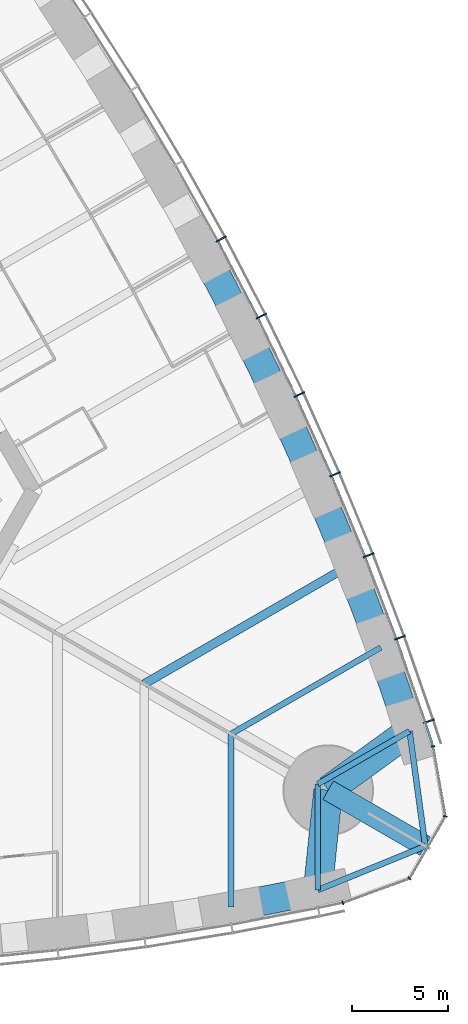
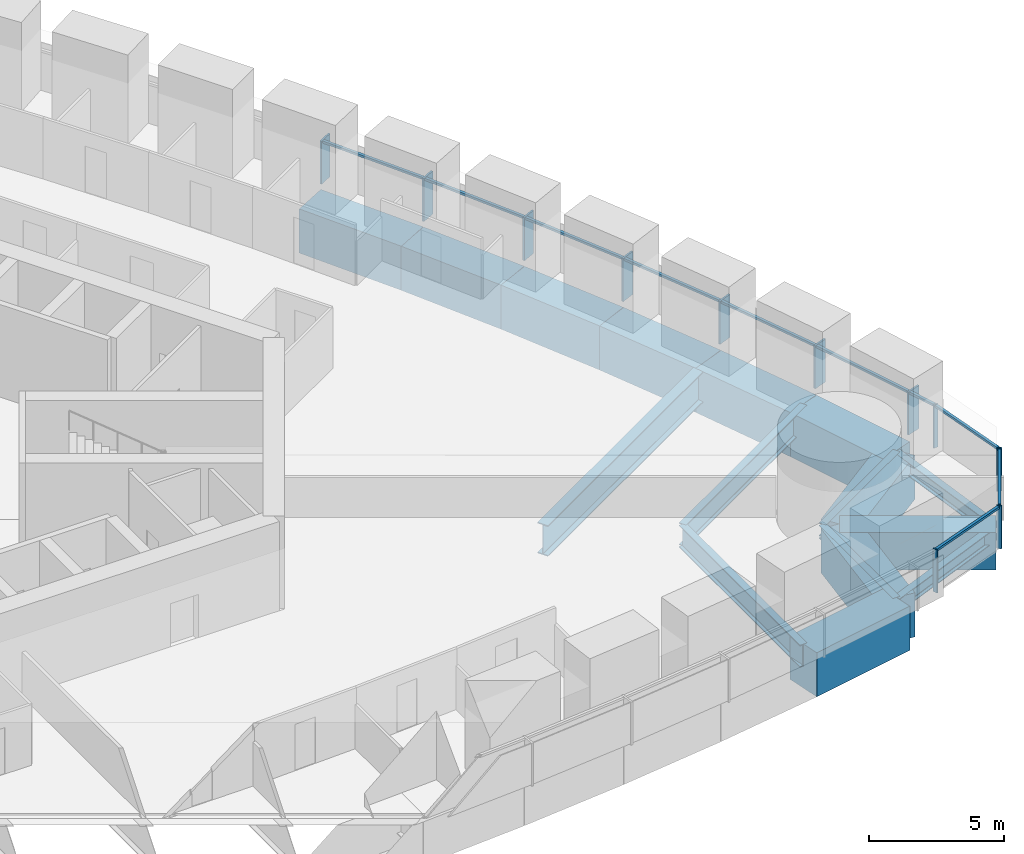
# One storey, part 6 of 18: 21 members, 17 beams, 2 elements without a shape of their own.
"""IFC4 building model written with IfcOpenShell, lengths in metres."""

from ifc_helpers import new_model, si_unit, direction, frame, origin, origin_2d, place, context, subcontext, project, spatial, rectangle, i_section, extrude, material, material_profile, profile_set, type_object, element, aggregate, save


model = new_model("IFC4")

# Units and contexts
model_context = context("Model", 3, precision=1e-05, world=origin(), true_north=direction((0.0, 1.0)))
body_context = subcontext(model_context, "Body", "Model", "MODEL_VIEW")
ifc_project = project(units=[si_unit("LENGTHUNIT", "METRE"), si_unit("AREAUNIT", "SQUARE_METRE"), si_unit("VOLUMEUNIT", "CUBIC_METRE"), si_unit("PLANEANGLEUNIT", "RADIAN"), si_unit("MASSUNIT", "GRAM", prefix="KILO")], contexts=[model_context])

# Site, building, storey
site_placement = place(None, origin())
site = spatial("IfcSite", under=ifc_project, at=site_placement, CompositionType="ELEMENT")
building_placement = place(site_placement, origin())
building = spatial("IfcBuilding", under=site, at=building_placement, Name="Trefoil Bronze Tower", CompositionType="ELEMENT")
storey_placement = place(building_placement, frame((0.0, 0.0, 87.89990234375)))
storey = spatial("IfcBuildingStorey", under=building, at=storey_placement, Name="L20", CompositionType="ELEMENT", Elevation=87.89990234375)

# Curtain wall, members
ifc_material_1 = material(Name="Tinted solar-control glass", Category="glass")
curtain_wall_type_1 = type_object("IfcCurtainWallType", Name="Bronze office curtain wall", PredefinedType="USERDEFINED", material=ifc_material_1)
curtain_wall_1_placement = place(storey_placement, origin())
curtain_wall_1 = element("IfcCurtainWall", 1, at=curtain_wall_1_placement, inside=storey, type_object=curtain_wall_type_1, Name="CW-A L20 F2", ObjectType="CURTAIN WALL", PredefinedType="USERDEFINED")
ifc_material_2 = material(Name="Bronze-finish aluminium", Category="aluminium")
ifc_material_profile_1 = material_profile(ifc_material_2, rectangle(XDim=0.60009765625, YDim=0.080078125, at=origin_2d()), Name="CW-A mullion")
ifc_profile_set_1 = profile_set([ifc_material_profile_1], Name="Bronze-finish aluminium")
member_type_1 = type_object("IfcMemberType", Name="Bronze office curtain wall mullion", PredefinedType="MULLION", material=ifc_profile_set_1)
member_1_placement = place(storey_placement, frame((37.265869140625, -14.92626953125, 0.0), z_axis=(0.0, 0.0, 1.0), x_axis=(-0.947850592929, -0.318715003543, 0.0)))
member_1 = element("IfcMember", 2, at=member_1_placement, type_object=member_type_1, Name="CW-A L20 F2 mullion 2", PredefinedType="MULLION", context=body_context, shape_type="SweptSolid", body=[
    extrude(rectangle(XDim=0.60009765625, YDim=0.080078125, at=origin_2d()), origin(), (0.0, 0.0, 1.0), 1.9501953125),
])
member_2_placement = place(storey_placement, frame((35.761962890625, -10.590087890625, 0.0), z_axis=(0.0, 0.0, 1.0), x_axis=(-0.939860248316, -0.341559238839, 0.0)))
member_2 = element("IfcMember", 3, at=member_2_placement, type_object=member_type_1, Name="CW-A L20 F2 mullion 3", PredefinedType="MULLION", context=body_context, shape_type="SweptSolid", body=[
    extrude(rectangle(XDim=0.60009765625, YDim=0.080078125, at=origin_2d()), origin(), (0.0, 0.0, 1.0), 1.9501953125),
])
member_3_placement = place(storey_placement, frame((34.138916015625, -6.32080078125, 0.0), z_axis=(0.0, 0.0, 1.0), x_axis=(-0.929413605838, -0.369039766534, 0.0)))
member_3 = element("IfcMember", 4, at=member_3_placement, type_object=member_type_1, Name="CW-A L20 F2 mullion 4", PredefinedType="MULLION", context=body_context, shape_type="SweptSolid", body=[
    extrude(rectangle(XDim=0.60009765625, YDim=0.080078125, at=origin_2d()), origin(), (0.0, 0.0, 1.0), 1.9501953125),
])
member_4_placement = place(storey_placement, frame((32.39892578125, -2.119384765625, 0.0), z_axis=(0.0, 0.0, 1.0), x_axis=(-0.918213748442, -0.396085233469, 0.0)))
member_4 = element("IfcMember", 5, at=member_4_placement, type_object=member_type_1, Name="CW-A L20 F2 mullion 5", PredefinedType="MULLION", context=body_context, shape_type="SweptSolid", body=[
    extrude(rectangle(XDim=0.60009765625, YDim=0.080078125, at=origin_2d()), origin(), (0.0, 0.0, 1.0), 1.9501953125),
])
member_5_placement = place(storey_placement, frame((30.543212890625, 2.015380859375, 0.0), z_axis=(0.0, 0.0, 1.0), x_axis=(-0.906269346572, -0.422700687798, 0.0)))
member_5 = element("IfcMember", 6, at=member_5_placement, type_object=member_type_1, Name="CW-A L20 F2 mullion 6", PredefinedType="MULLION", context=body_context, shape_type="SweptSolid", body=[
    extrude(rectangle(XDim=0.60009765625, YDim=0.080078125, at=origin_2d()), origin(), (0.0, 0.0, 1.0), 1.9501953125),
])
member_6_placement = place(storey_placement, frame((28.57275390625, 6.084228515625, 0.0), z_axis=(0.0, 0.0, 1.0), x_axis=(-0.893587025891, -0.448889994497, 0.0)))
member_6 = element("IfcMember", 7, at=member_6_placement, type_object=member_type_1, Name="CW-A L20 F2 mullion 7", PredefinedType="MULLION", context=body_context, shape_type="SweptSolid", body=[
    extrude(rectangle(XDim=0.60009765625, YDim=0.080078125, at=origin_2d()), origin(), (0.0, 0.0, 1.0), 1.9501953125),
])
member_7_placement = place(storey_placement, frame((26.488525390625, 10.0869140625, 0.0), z_axis=(0.0, 0.0, 1.0), x_axis=(-0.880171454588, -0.474655886437, 0.0)))
member_7 = element("IfcMember", 8, at=member_7_placement, type_object=member_type_1, Name="CW-A L20 F2 mullion 8", PredefinedType="MULLION", context=body_context, shape_type="SweptSolid", body=[
    extrude(rectangle(XDim=0.60009765625, YDim=0.080078125, at=origin_2d()), origin(), (0.0, 0.0, 1.0), 1.9501953125),
])
ifc_material_3 = material(Name="Bronze-finish aluminium", Category="aluminium")
ifc_material_profile_2 = material_profile(ifc_material_3, rectangle(XDim=0.1201171875, YDim=0.10009765625, at=origin_2d()), Name="CW-A transom")
ifc_profile_set_2 = profile_set([ifc_material_profile_2], Name="Bronze-finish aluminium")
member_type_2 = type_object("IfcMemberType", Name="Bronze office curtain wall transom", PredefinedType="USERDEFINED", material=ifc_profile_set_2)
member_8_placement = place(storey_placement, frame((37.4638671875, -16.1796875, 1.900146484375), z_axis=(-0.309624219148, 0.950859002648, 0.0), x_axis=(-0.950859002648, -0.309624219148, 0.0)))
member_8 = element("IfcMember", 9, at=member_8_placement, type_object=member_type_2, Name="CW-A L20 F2 transom 1", ObjectType="TRANSOM", PredefinedType="USERDEFINED", context=body_context, shape_type="SweptSolid", body=[
    extrude(rectangle(XDim=0.1201171875, YDim=0.10009765625, at=origin_2d()), origin(), (0.0, 0.0, 1.0), 1.21044921875),
])
member_9_placement = place(storey_placement, frame((37.06298828125, -14.951171875, 1.900146484375), z_axis=(-0.327689728493, 0.944785394595, 0.0), x_axis=(-0.944785394595, -0.327689728493, 0.0)))
member_9 = element("IfcMember", 10, at=member_9_placement, type_object=member_type_2, Name="CW-A L20 F2 transom 2", ObjectType="TRANSOM", PredefinedType="USERDEFINED", context=body_context, shape_type="SweptSolid", body=[
    extrude(rectangle(XDim=0.1201171875, YDim=0.10009765625, at=origin_2d()), origin(), (0.0, 0.0, 1.0), 4.502197265625),
])
member_10_placement = place(storey_placement, frame((35.559326171875, -10.61962890625, 1.900146484375), z_axis=(-0.355367327392, 0.934726731522, 0.0), x_axis=(-0.934726731522, -0.355367327392, 0.0)))
member_10 = element("IfcMember", 11, at=member_10_placement, type_object=member_type_2, Name="CW-A L20 F2 transom 3", ObjectType="TRANSOM", PredefinedType="USERDEFINED", context=body_context, shape_type="SweptSolid", body=[
    extrude(rectangle(XDim=0.1201171875, YDim=0.10009765625, at=origin_2d()), origin(), (0.0, 0.0, 1.0), 4.478515625),
])
member_11_placement = place(storey_placement, frame((33.937255859375, -6.3564453125, 1.900146484375), z_axis=(-0.382616149417, 0.923907399151, 0.0), x_axis=(-0.923907399151, -0.382616149417, 0.0)))
member_11 = element("IfcMember", 12, at=member_11_placement, type_object=member_type_2, Name="CW-A L20 F2 transom 4", ObjectType="TRANSOM", PredefinedType="USERDEFINED", context=body_context, shape_type="SweptSolid", body=[
    extrude(rectangle(XDim=0.1201171875, YDim=0.10009765625, at=origin_2d()), origin(), (0.0, 0.0, 1.0), 4.458984375),
])
member_12_placement = place(storey_placement, frame((32.1982421875, -2.16064453125, 1.900146484375), z_axis=(-0.409459746452, 0.912328184392, 0.0), x_axis=(-0.912328184392, -0.409459746452, 0.0)))
member_12 = element("IfcMember", 13, at=member_12_placement, type_object=member_type_2, Name="CW-A L20 F2 transom 5", ObjectType="TRANSOM", PredefinedType="USERDEFINED", context=body_context, shape_type="SweptSolid", body=[
    extrude(rectangle(XDim=0.1201171875, YDim=0.10009765625, at=origin_2d()), origin(), (0.0, 0.0, 1.0), 4.443359375),
])
member_13_placement = place(storey_placement, frame((30.34375, 1.96826171875, 1.900146484375), z_axis=(-0.435851763293, 0.900018466719, 0.0), x_axis=(-0.900018466719, -0.435851763293, 0.0)))
member_13 = element("IfcMember", 14, at=member_13_placement, type_object=member_type_2, Name="CW-A L20 F2 transom 6", ObjectType="TRANSOM", PredefinedType="USERDEFINED", context=body_context, shape_type="SweptSolid", body=[
    extrude(rectangle(XDim=0.1201171875, YDim=0.10009765625, at=origin_2d()), origin(), (0.0, 0.0, 1.0), 4.431884765625),
])
member_14_placement = place(storey_placement, frame((28.375, 6.031005859375, 1.900146484375), z_axis=(-0.461809621225, 0.886979071762, 0.0), x_axis=(-0.886979071762, -0.461809621225, 0.0)))
member_14 = element("IfcMember", 15, at=member_14_placement, type_object=member_type_2, Name="CW-A L20 F2 transom 7", ObjectType="TRANSOM", PredefinedType="USERDEFINED", context=body_context, shape_type="SweptSolid", body=[
    extrude(rectangle(XDim=0.1201171875, YDim=0.10009765625, at=origin_2d()), origin(), (0.0, 0.0, 1.0), 4.42431640625),
])
aggregate(curtain_wall_1, [member_1, member_2, member_3, member_4, member_5, member_6, member_7, member_8, member_9, member_10, member_11, member_12, member_13, member_14])

ifc_material_4 = material(Name="Tinted solar-control glass", Category="glass")
curtain_wall_type_2 = type_object("IfcCurtainWallType", Name="Bronze rounded corner curtain wall", PredefinedType="USERDEFINED", material=ifc_material_4)
curtain_wall_2_placement = place(storey_placement, origin())
curtain_wall_2 = element("IfcCurtainWall", 16, at=curtain_wall_2_placement, inside=storey, type_object=curtain_wall_type_2, Name="CW-B L20 K1", ObjectType="CURTAIN WALL", PredefinedType="USERDEFINED")
ifc_material_5 = material(Name="Bronze-finish aluminium", Category="aluminium")
ifc_material_profile_3 = material_profile(ifc_material_5, rectangle(XDim=0.199951171875, YDim=0.06005859375, at=origin_2d()), Name="CW-B mullion")
ifc_profile_set_3 = profile_set([ifc_material_profile_3], Name="Bronze-finish aluminium")
member_type_3 = type_object("IfcMemberType", Name="Bronze rounded corner curtain wall mullion", PredefinedType="MULLION", material=ifc_profile_set_3)
member_15_placement = place(storey_placement, frame((32.796630859375, -24.3427734375, 0.0), z_axis=(0.0, 0.0, 1.0), x_axis=(-0.342020143326, 0.939692620786, 0.0)))
member_15 = element("IfcMember", 17, at=member_15_placement, type_object=member_type_3, Name="CW-B L20 K1 mullion 1", PredefinedType="MULLION", context=body_context, shape_type="SweptSolid", body=[
    extrude(rectangle(XDim=0.199951171875, YDim=0.06005859375, at=origin_2d()), origin(), (0.0, 0.0, 1.0), 1.9501953125),
])
member_16_placement = place(storey_placement, frame((36.2548828125, -23.07763671875, 0.0), z_axis=(0.0, 0.0, 1.0), x_axis=(-0.642787609687, 0.766044443119, 0.0)))
member_16 = element("IfcMember", 18, at=member_16_placement, type_object=member_type_3, Name="CW-B L20 K1 mullion 2", PredefinedType="MULLION", context=body_context, shape_type="SweptSolid", body=[
    extrude(rectangle(XDim=0.199951171875, YDim=0.06005859375, at=origin_2d()), origin(), (0.0, 0.0, 1.0), 1.9501953125),
])
member_17_placement = place(storey_placement, frame((38.11328125, -19.85888671875, 0.0), z_axis=(0.0, 0.0, 1.0), x_axis=(-0.984807753012, 0.173648177667, 0.0)))
member_17 = element("IfcMember", 19, at=member_17_placement, type_object=member_type_3, Name="CW-B L20 K1 mullion 3", PredefinedType="MULLION", context=body_context, shape_type="SweptSolid", body=[
    extrude(rectangle(XDim=0.199951171875, YDim=0.06005859375, at=origin_2d()), origin(), (0.0, 0.0, 1.0), 1.9501953125),
])
member_18_placement = place(storey_placement, frame((37.479736328125, -16.2314453125, 0.0), z_axis=(0.0, 0.0, 1.0), x_axis=(-0.984807753012, -0.173648177667, 0.0)))
member_18 = element("IfcMember", 20, at=member_18_placement, type_object=member_type_3, Name="CW-B L20 K1 mullion 4", PredefinedType="MULLION", context=body_context, shape_type="SweptSolid", body=[
    extrude(rectangle(XDim=0.199951171875, YDim=0.06005859375, at=origin_2d()), origin(), (0.0, 0.0, 1.0), 1.9501953125),
])
ifc_material_6 = material(Name="Bronze-finish aluminium", Category="aluminium")
ifc_material_profile_4 = material_profile(ifc_material_6, rectangle(XDim=0.1201171875, YDim=0.10009765625, at=origin_2d()), Name="CW-B transom")
ifc_profile_set_4 = profile_set([ifc_material_profile_4], Name="Bronze-finish aluminium")
member_type_4 = type_object("IfcMemberType", Name="Bronze rounded corner curtain wall transom", PredefinedType="USERDEFINED", material=ifc_profile_set_4)
member_19_placement = place(storey_placement, frame((32.82470703125, -24.33251953125, 1.900146484375), z_axis=(0.939688092095, 0.342032585545, 0.0), x_axis=(-0.342032585545, 0.939688092095, 0.0)))
member_19 = element("IfcMember", 21, at=member_19_placement, type_object=member_type_4, Name="CW-B L20 K1 transom 1", ObjectType="TRANSOM", PredefinedType="USERDEFINED", context=body_context, shape_type="SweptSolid", body=[
    extrude(rectangle(XDim=0.1201171875, YDim=0.10009765625, at=origin_2d()), origin(), (0.0, 0.0, 1.0), 3.588134765625),
])
member_20_placement = place(storey_placement, frame((36.292236328125, -23.02490234375, 1.900146484375), z_axis=(0.500024788772, 0.866011091507, 0.0), x_axis=(-0.866011091507, 0.500024788772, 0.0)))
member_20 = element("IfcMember", 22, at=member_20_placement, type_object=member_type_4, Name="CW-B L20 K1 transom 2", ObjectType="TRANSOM", PredefinedType="USERDEFINED", context=body_context, shape_type="SweptSolid", body=[
    extrude(rectangle(XDim=0.1201171875, YDim=0.10009765625, at=origin_2d()), origin(), (0.0, 0.0, 1.0), 3.588134765625),
])
member_21_placement = place(storey_placement, frame((38.10791015625, -19.794677734375, 1.900146484375), z_axis=(-0.17363783606, 0.984809576461, 0.0), x_axis=(-0.984809576461, -0.17363783606, 0.0)))
member_21 = element("IfcMember", 23, at=member_21_placement, type_object=member_type_4, Name="CW-B L20 K1 transom 3", ObjectType="TRANSOM", PredefinedType="USERDEFINED", context=body_context, shape_type="SweptSolid", body=[
    extrude(rectangle(XDim=0.1201171875, YDim=0.10009765625, at=origin_2d()), origin(), (0.0, 0.0, 1.0), 3.588134765625),
])
aggregate(curtain_wall_2, [member_15, member_16, member_17, member_18, member_19, member_20, member_21])

# Beams
ifc_material_7 = material(Name="Concrete B80", Category="concrete")
ifc_material_profile_5 = material_profile(ifc_material_7, rectangle(XDim=1.10009765625, YDim=1.699951171875, at=origin_2d()), Name="RC 1100x1700")
ifc_profile_set_5 = profile_set([ifc_material_profile_5], Name="Concrete B80")
beam_type_1 = type_object("IfcBeamType", Name="Corner cantilever RC 1100x1700", PredefinedType="BEAM", material=ifc_profile_set_5)
beam_1_placement = place(storey_placement, frame((32.04296875, -18.5, -1.0498046875), z_axis=(0.866030348588, -0.499991435252, 0.0), x_axis=(0.499991435252, 0.866030348588, 0.0)))
element("IfcBeam", 24, at=beam_1_placement, inside=storey, type_object=beam_type_1, Name="Corner cantilever K1 L20", PredefinedType="BEAM", context=body_context, shape_type="SweptSolid", body=[
    extrude(rectangle(XDim=1.10009765625, YDim=1.699951171875, at=origin_2d()), origin(), (0.0, 0.0, 1.0), 5.81396484375),
])
ifc_material_8 = material(Name="Steel C355", Category="steel")
ifc_material_profile_6 = material_profile(ifc_material_8, i_section(OverallWidth=0.300048828125, OverallDepth=0.60009765625, WebThickness=0.015380859375, FlangeThickness=0.030029296875, FilletRadius=0.027099609375, at=origin_2d()), Name="HEB 600")
ifc_profile_set_6 = profile_set([ifc_material_profile_6], Name="Steel C355")
beam_type_2 = type_object("IfcBeamType", Name="Corner edge beam HEB 600", PredefinedType="BEAM", material=ifc_profile_set_6)
beam_2_placement = place(storey_placement, frame((31.5, -23.684814453125, -0.5), z_axis=(0.925786874353, 0.378045848114, 0.0), x_axis=(-0.378045848114, 0.925786874353, 0.0)))
element("IfcBeam", 25, at=beam_2_placement, inside=storey, type_object=beam_type_2, Name="Corner edge beam F1A L20", PredefinedType="BEAM", context=body_context, shape_type="SweptSolid", body=[
    extrude(i_section(OverallWidth=0.300048828125, OverallDepth=0.60009765625, WebThickness=0.015380859375, FlangeThickness=0.030029296875, FilletRadius=0.027099609375, at=origin_2d()), origin(), (0.0, 0.0, 1.0), 6.025390625),
])
beam_3_placement = place(storey_placement, frame((36.26171875, -15.4375, -0.5), z_axis=(0.13550196505, -0.990777077585, 0.0), x_axis=(0.990777077585, 0.13550196505, 0.0)))
element("IfcBeam", 26, at=beam_3_placement, inside=storey, type_object=beam_type_2, Name="Corner edge beam F2B L20", PredefinedType="BEAM", context=body_context, shape_type="SweptSolid", body=[
    extrude(i_section(OverallWidth=0.300048828125, OverallDepth=0.60009765625, WebThickness=0.015380859375, FlangeThickness=0.030029296875, FilletRadius=0.027099609375, at=origin_2d()), origin(), (0.0, 0.0, 1.0), 6.025146484375),
])
ifc_material_9 = material(Name="Concrete B80", Category="concrete")
ifc_material_profile_7 = material_profile(ifc_material_9, rectangle(XDim=1.5, YDim=2.0, at=origin_2d()), Name="RC 1500x2000")
ifc_profile_set_7 = profile_set([ifc_material_profile_7], Name="Concrete B80")
beam_type_3 = type_object("IfcBeamType", Name="End spandrel beam RC 1500x2000", PredefinedType="SPANDREL", material=ifc_profile_set_7)
for number, where, z_axis, x_axis, name in (
    (27, (31.5, -23.684814453125, -1.199951171875), (0.104153327908, 0.994561252154, 0.0), (-0.994561252154, 0.104153327908, 0.0), "Spandrel F1.16 L20"),
    (28, (32.04296875, -18.5, -1.199951171875), (0.809254211267, 0.587458612624, 0.0), (-0.587458612624, 0.809254211267, 0.0), "Spandrel F2.1 L20"),
):
    element("IfcBeam", number, at=place(storey_placement, frame(where, z_axis=z_axis, x_axis=x_axis)), inside=storey, type_object=beam_type_3, Name=name, PredefinedType="SPANDREL", context=body_context, shape_type="SweptSolid", body=[
        extrude(rectangle(XDim=1.5, YDim=2.0, at=origin_2d()), origin(), (0.0, 0.0, 1.0), 5.213134765625),
    ])
ifc_material_10 = material(Name="Steel C355", Category="steel")
ifc_material_profile_8 = material_profile(ifc_material_10, i_section(OverallWidth=0.300048828125, OverallDepth=0.60009765625, WebThickness=0.015380859375, FlangeThickness=0.030029296875, FilletRadius=0.027099609375, at=origin_2d()), Name="HEB 600")
ifc_profile_set_8 = profile_set([ifc_material_profile_8], Name="Steel C355")
beam_type_4 = type_object("IfcBeamType", Name="Floor beam HEB 600", PredefinedType="BEAM", material=ifc_profile_set_8)
for number, where, z_axis, x_axis, name in (
    (29, (31.5, -23.684814453125, -0.5), (0.0, 1.0, 0.0), (-1.0, 0.0, 0.0), "Floor beam F1/+7 L20"),
    (30, (36.26171875, -15.4375, -0.5), (-0.866037702141, -0.499978698016, 0.0), (0.499978698016, -0.866037702141, 0.0), "Floor beam F2/-7 L20"),
):
    element("IfcBeam", number, at=place(storey_placement, frame(where, z_axis=z_axis, x_axis=x_axis)), inside=storey, type_object=beam_type_4, Name=name, PredefinedType="BEAM", context=body_context, shape_type="SweptSolid", body=[
        extrude(i_section(OverallWidth=0.300048828125, OverallDepth=0.60009765625, WebThickness=0.015380859375, FlangeThickness=0.030029296875, FilletRadius=0.027099609375, at=origin_2d()), origin(), (0.0, 0.0, 1.0), 5.498291015625),
    ])
ifc_material_11 = material(Name="Steel C355", Category="steel")
ifc_material_profile_9 = material_profile(ifc_material_11, i_section(OverallWidth=0.302001953125, OverallDepth=1.008056640625, WebThickness=0.02099609375, FlangeThickness=0.0400390625, FilletRadius=0.030029296875, at=origin_2d()), Name="HEM 1000")
ifc_profile_set_9 = profile_set([ifc_material_profile_9], Name="Steel C355")
beam_type_5 = type_object("IfcBeamType", Name="Floor beam HEM 1000", PredefinedType="BEAM", material=ifc_profile_set_9)
for number, where, z_axis, x_axis, name in (
    (31, (27.0, -24.56787109375, -0.703857421875), (0.0, 1.0, 0.0), (-1.0, 0.0, 0.0), "Floor beam F1/+6 L20"),
    (32, (34.7763671875, -11.0986328125, -0.703857421875), (-0.866022587327, -0.500004878216, 0.0), (0.500004878216, -0.866022587327, 0.0), "Floor beam F2/-6 L20"),
):
    element("IfcBeam", number, at=place(storey_placement, frame(where, z_axis=z_axis, x_axis=x_axis)), inside=storey, type_object=beam_type_5, Name=name, PredefinedType="BEAM", context=body_context, shape_type="SweptSolid", body=[
        extrude(i_section(OverallWidth=0.302001953125, OverallDepth=1.008056640625, WebThickness=0.02099609375, FlangeThickness=0.0400390625, FilletRadius=0.030029296875, at=origin_2d()), origin(), (0.0, 0.0, 1.0), 8.9794921875),
    ])
ifc_material_12 = material(Name="Steel C355", Category="steel")
ifc_material_profile_10 = material_profile(ifc_material_12, i_section(OverallWidth=0.449951171875, OverallDepth=1.39990234375, WebThickness=0.02294921875, FlangeThickness=0.044921875, FilletRadius=0.011962890625, at=origin_2d()), Name="WPG 1400")
ifc_profile_set_10 = profile_set([ifc_material_profile_10], Name="Steel C355")
beam_type_6 = type_object("IfcBeamType", Name="Floor beam WPG 1400", PredefinedType="BEAM", material=ifc_profile_set_10)
beam_4_placement = place(storey_placement, frame((33.159912109375, -6.8359375, -0.89990234375), z_axis=(-0.866024070878, -0.500002308654, 0.0), x_axis=(0.500002308654, -0.866024070878, 0.0)))
element("IfcBeam", 33, at=beam_4_placement, inside=storey, type_object=beam_type_6, Name="Floor beam F2/-5 L20", PredefinedType="BEAM", context=body_context, shape_type="SweptSolid", body=[
    extrude(i_section(OverallWidth=0.449951171875, OverallDepth=1.39990234375, WebThickness=0.02294921875, FlangeThickness=0.044921875, FilletRadius=0.011962890625, at=origin_2d()), origin(), (0.0, 0.0, 1.0), 12.30908203125),
])
ifc_material_13 = material(Name="Concrete B80", Category="concrete")
ifc_material_profile_11 = material_profile(ifc_material_13, rectangle(XDim=1.5, YDim=2.0, at=origin_2d()), Name="RC 1500x2000")
ifc_profile_set_11 = profile_set([ifc_material_profile_11], Name="Concrete B80")
beam_type_7 = type_object("IfcBeamType", Name="Spandrel beam RC 1500x2000", PredefinedType="SPANDREL", material=ifc_profile_set_11)
beam_5_placement = place(storey_placement, frame((27.0, -24.56787109375, -1.199951171875), z_axis=(0.981284764092, 0.192562228283, 0.0), x_axis=(-0.192562228283, 0.981284764092, 0.0)))
element("IfcBeam", 34, at=beam_5_placement, inside=storey, type_object=beam_type_7, Name="Spandrel F1.15 L20", PredefinedType="SPANDREL", context=body_context, shape_type="SweptSolid", body=[
    extrude(rectangle(XDim=1.5, YDim=2.0, at=origin_2d()), origin(), (0.0, 0.0, 1.0), 4.5859375),
])
beam_6_placement = place(storey_placement, frame((36.26171875, -15.4375, -1.199951171875), z_axis=(-0.323883319148, 0.946097032855, 0.0), x_axis=(-0.946097032855, -0.323883319148, 0.0)))
element("IfcBeam", 35, at=beam_6_placement, inside=storey, type_object=beam_type_7, Name="Spandrel F2.2 L20", PredefinedType="SPANDREL", context=body_context, shape_type="SweptSolid", body=[
    extrude(rectangle(XDim=1.5, YDim=2.0, at=origin_2d()), origin(), (0.0, 0.0, 1.0), 4.586181640625),
])
beam_7_placement = place(storey_placement, frame((34.7763671875, -11.0986328125, -1.199951171875), z_axis=(-0.354571899767, 0.935028752443, 0.0), x_axis=(-0.935028752443, -0.354571899767, 0.0)))
element("IfcBeam", 36, at=beam_7_placement, inside=storey, type_object=beam_type_7, Name="Spandrel F2.3 L20", PredefinedType="SPANDREL", context=body_context, shape_type="SweptSolid", body=[
    extrude(rectangle(XDim=1.5, YDim=2.0, at=origin_2d()), origin(), (0.0, 0.0, 1.0), 4.558837890625),
])
beam_8_placement = place(storey_placement, frame((33.159912109375, -6.8359375, -1.199951171875), z_axis=(-0.382020825144, 0.924153715113, 0.0), x_axis=(-0.924153715113, -0.382020825144, 0.0)))
element("IfcBeam", 37, at=beam_8_placement, inside=storey, type_object=beam_type_7, Name="Spandrel F2.4 L20", PredefinedType="SPANDREL", context=body_context, shape_type="SweptSolid", body=[
    extrude(rectangle(XDim=1.5, YDim=2.0, at=origin_2d()), origin(), (0.0, 0.0, 1.0), 4.539306640625),
])
beam_9_placement = place(storey_placement, frame((31.42578125, -2.640869140625, -1.199951171875), z_axis=(-0.408945873044, 0.912558640812, 0.0), x_axis=(-0.912558640812, -0.408945873044, 0.0)))
element("IfcBeam", 38, at=beam_9_placement, inside=storey, type_object=beam_type_7, Name="Spandrel F2.5 L20", PredefinedType="SPANDREL", context=body_context, shape_type="SweptSolid", body=[
    extrude(rectangle(XDim=1.5, YDim=2.0, at=origin_2d()), origin(), (0.0, 0.0, 1.0), 4.5234375),
])
beam_10_placement = place(storey_placement, frame((29.575927734375, 1.487060546875, -1.199951171875), z_axis=(-0.435510013583, 0.900183885697, 0.0), x_axis=(-0.900183885697, -0.435510013583, 0.0)))
element("IfcBeam", 39, at=beam_10_placement, inside=storey, type_object=beam_type_7, Name="Spandrel F2.6 L20", PredefinedType="SPANDREL", context=body_context, shape_type="SweptSolid", body=[
    extrude(rectangle(XDim=1.5, YDim=2.0, at=origin_2d()), origin(), (0.0, 0.0, 1.0), 4.51220703125),
])
beam_11_placement = place(storey_placement, frame((27.61083984375, 5.548828125, -1.199951171875), z_axis=(-0.461637716615, 0.887068553495, 0.0), x_axis=(-0.887068553495, -0.461637716615, 0.0)))
element("IfcBeam", 40, at=beam_11_placement, inside=storey, type_object=beam_type_7, Name="Spandrel F2.7 L20", PredefinedType="SPANDREL", context=body_context, shape_type="SweptSolid", body=[
    extrude(rectangle(XDim=1.5, YDim=2.0, at=origin_2d()), origin(), (0.0, 0.0, 1.0), 4.50439453125),
])

save(model, "model.ifc")
